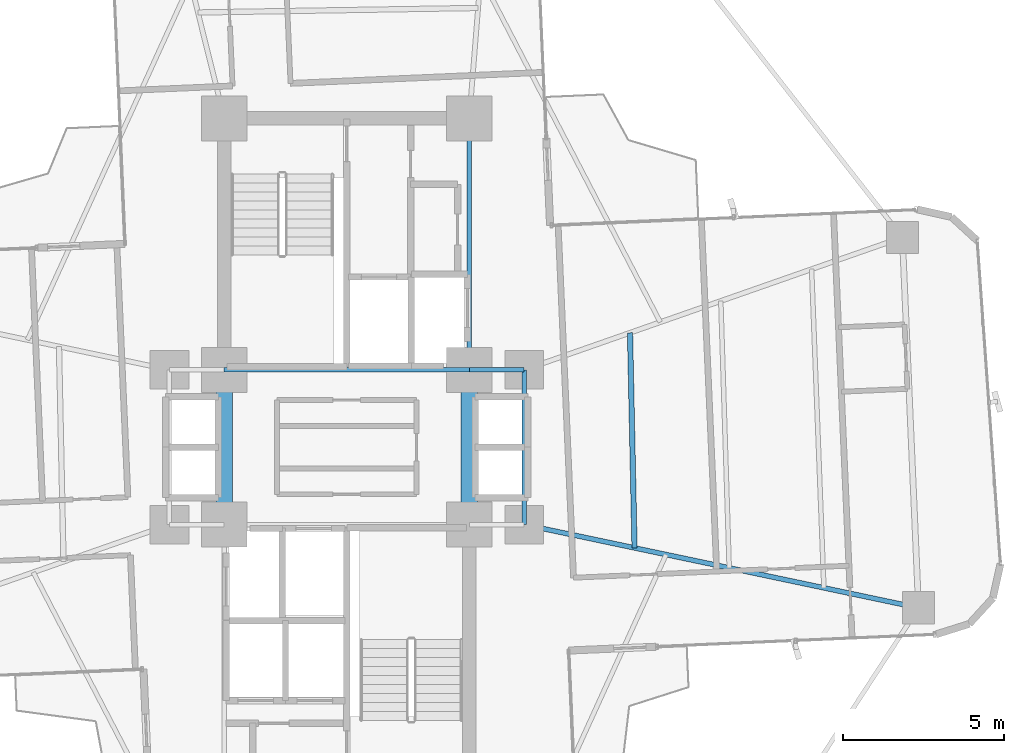
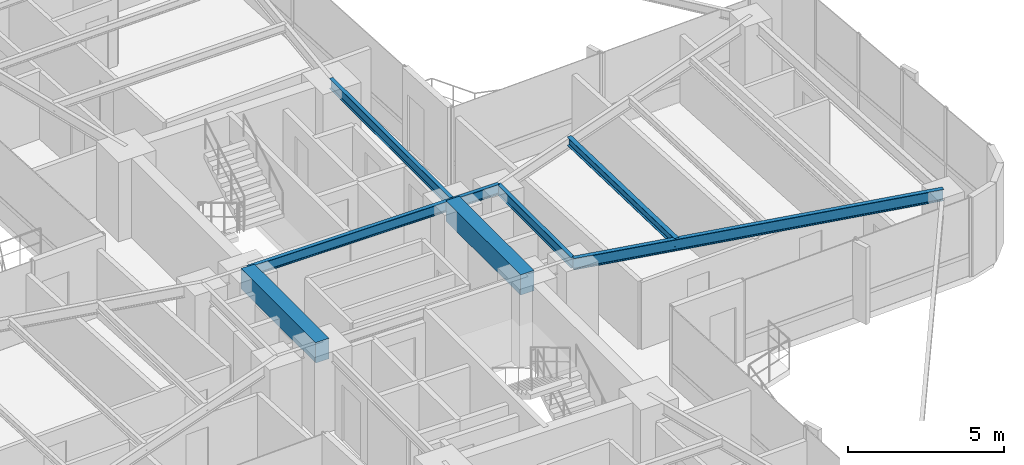
# One storey, part 12 of 26: 8 beams.
"""IFC4 building model written with IfcOpenShell, lengths in metres."""

from ifc_helpers import new_model, si_unit, direction, frame, origin, origin_2d, place, context, subcontext, project, spatial, rectangle, i_section, extrude, source, transform, mapped, material, material_profile, profile_set, type_object, element, save


model = new_model("IFC4")

# Units and contexts
model_context = context("Model", 3, precision=1e-05, world=origin(), true_north=direction((0.0, 1.0)))
body_context = subcontext(model_context, "Body", "Model", "MODEL_VIEW")
ifc_project = project(units=[si_unit("LENGTHUNIT", "METRE"), si_unit("AREAUNIT", "SQUARE_METRE"), si_unit("VOLUMEUNIT", "CUBIC_METRE"), si_unit("PLANEANGLEUNIT", "RADIAN"), si_unit("MASSUNIT", "GRAM", prefix="KILO")], contexts=[model_context])

# Site, building, storey
site_placement = place(None, origin())
site = spatial("IfcSite", under=ifc_project, at=site_placement, CompositionType="ELEMENT")
building_placement = place(site_placement, origin())
building = spatial("IfcBuilding", under=site, at=building_placement, Name="Sahyath Konkavel Grand Hotel", CompositionType="ELEMENT")
storey_placement = place(building_placement, frame((0.0, 0.0, 124.85009765625)))
storey = spatial("IfcBuildingStorey", under=building, at=storey_placement, Name="L34", CompositionType="ELEMENT", Elevation=124.85009765625)

# Beams
ifc_material_1 = material(Name="Steel E350", Category="steel")
ifc_material_profile_1 = material_profile(ifc_material_1, i_section(OverallWidth=0.139892578125, OverallDepth=0.39990234375, WebThickness=0.0087890625, FlangeThickness=0.01611328125, FilletRadius=0.013916015625, at=origin_2d()), Name="ISMB 400")
ifc_profile_set_1 = profile_set([ifc_material_profile_1], Name="Steel E350")
beam_type_1 = type_object("IfcBeamType", Name="BM-ISMB400", PredefinedType="BEAM", material=ifc_profile_set_1)
shared_shape_1 = source(origin(), body_context, "Body", "SweptSolid", [
    extrude(i_section(OverallWidth=0.139892578125, OverallDepth=0.39990234375, WebThickness=0.0087890625, FlangeThickness=0.01611328125, FilletRadius=0.013916015625, at=origin_2d()), origin(), (0.0, 0.0, 1.0), 7.60009765625),
])
beam_1_placement = place(storey_placement, frame((-3.800048828125, 2.39990234375, 2.909912109375), z_axis=(1.0, 0.0, 0.0), x_axis=(0.0, 1.0, 0.0)))
element("IfcBeam", 1, at=beam_1_placement, inside=storey, type_object=beam_type_1, Name="str:bm:L34:NC-S", PredefinedType="BEAM", context=body_context, shape_type="MappedRepresentation", body=[
    mapped(shared_shape_1, transform((0.0, 0.0, 0.0), scale=1.0)),
])
shared_shape_2 = source(origin(), body_context, "Body", "SweptSolid", [
    extrude(i_section(OverallWidth=0.139892578125, OverallDepth=0.39990234375, WebThickness=0.0087890625, FlangeThickness=0.01611328125, FilletRadius=0.013916015625, at=origin_2d()), origin(), (0.0, 0.0, 1.0), 7.800048828125),
])
beam_2_placement = place(storey_placement, frame((3.800048828125, 2.39990234375, 2.909912109375), z_axis=(0.0, 1.0, 0.0), x_axis=(-1.0, 0.0, 0.0)))
element("IfcBeam", 2, at=beam_2_placement, inside=storey, type_object=beam_type_1, Name="str:bm:L34:NC-E", PredefinedType="BEAM", context=body_context, shape_type="MappedRepresentation", body=[
    mapped(shared_shape_2, transform((0.0, 0.0, 0.0), scale=1.0)),
])
shared_shape_3 = source(origin(), body_context, "Body", "SweptSolid", [
    extrude(i_section(OverallWidth=0.139892578125, OverallDepth=0.39990234375, WebThickness=0.0087890625, FlangeThickness=0.01611328125, FilletRadius=0.013916015625, at=origin_2d()), origin(), (0.0, 0.0, 1.0), 1.699951171875),
])
beam_3_placement = place(storey_placement, frame((3.800048828125, 2.39990234375, 2.909912109375), z_axis=(1.0, 0.0, 0.0), x_axis=(0.0, 1.0, 0.0)))
element("IfcBeam", 3, at=beam_3_placement, inside=storey, type_object=beam_type_1, Name="str:bm:L34:HB-NE", PredefinedType="BEAM", context=body_context, shape_type="MappedRepresentation", body=[
    mapped(shared_shape_3, transform((0.0, 0.0, 0.0), scale=1.0)),
])
shared_shape_4 = source(origin(), body_context, "Body", "SweptSolid", [
    extrude(i_section(OverallWidth=0.139892578125, OverallDepth=0.39990234375, WebThickness=0.0087890625, FlangeThickness=0.01611328125, FilletRadius=0.013916015625, at=origin_2d()), origin(), (0.0, 0.0, 1.0), 4.7998046875),
])
beam_4_placement = place(storey_placement, frame((5.5, -2.39990234375, 2.909912109375), z_axis=(0.0, 1.0, 0.0), x_axis=(-1.0, 0.0, 0.0)))
element("IfcBeam", 4, at=beam_4_placement, inside=storey, type_object=beam_type_1, Name="str:bm:L34:HB-E", PredefinedType="BEAM", context=body_context, shape_type="MappedRepresentation", body=[
    mapped(shared_shape_4, transform((0.0, 0.0, 0.0), scale=1.0)),
])
ifc_material_2 = material(Name="Concrete C50/60", Category="concrete")
ifc_material_profile_2 = material_profile(ifc_material_2, rectangle(XDim=0.5, YDim=0.800048828125, at=origin_2d()), Name="RC 500x800")
ifc_profile_set_2 = profile_set([ifc_material_profile_2], Name="Concrete C50/60")
beam_type_2 = type_object("IfcBeamType", Name="BM-CB500x800", PredefinedType="LINTEL", material=ifc_profile_set_2)
shared_shape_5 = source(origin(), body_context, "Body", "SweptSolid", [
    extrude(rectangle(XDim=0.5, YDim=0.800048828125, at=origin_2d()), origin(), (0.0, 0.0, 1.0), 4.7998046875),
])
for number, where, z_axis, x_axis, name in (
    (5, (-3.800048828125, -2.39990234375, 2.7099609375), (0.0, 1.0, 0.0), (-1.0, 0.0, 0.0), "L34 Split-Core Coupling Beam West"),
    (6, (3.800048828125, -2.39990234375, 2.7099609375), (0.0, 1.0, 0.0), (-1.0, 0.0, 0.0), "L34 Split-Core Coupling Beam East"),
):
    element("IfcBeam", number, at=place(storey_placement, frame(where, z_axis=z_axis, x_axis=x_axis)), inside=storey, type_object=beam_type_2, Name=name, PredefinedType="LINTEL", context=body_context, shape_type="MappedRepresentation", body=[
        mapped(shared_shape_5, transform((0.0, 0.0, 0.0), scale=1.0)),
    ])
ifc_material_profile_3 = material_profile(ifc_material_1, i_section(OverallWidth=0.14990234375, OverallDepth=0.449951171875, WebThickness=0.009521484375, FlangeThickness=0.017333984375, FilletRadius=0.014892578125, at=origin_2d()), Name="ISMB 450")
ifc_profile_set_3 = profile_set([ifc_material_profile_3], Name="Steel E350")
beam_type_3 = type_object("IfcBeamType", Name="BM-ISMB450", PredefinedType="BEAM", material=ifc_profile_set_3)
shared_shape_6 = source(origin(), body_context, "Body", "SweptSolid", [
    extrude(i_section(OverallWidth=0.14990234375, OverallDepth=0.449951171875, WebThickness=0.009521484375, FlangeThickness=0.017333984375, FilletRadius=0.014892578125, at=origin_2d()), origin(), (0.0, 0.0, 1.0), 12.50341796875),
])
beam_5_placement = place(storey_placement, frame((5.5, -2.39990234375, 2.885009765625), z_axis=(0.978457911392, -0.206446398937, 0.0), x_axis=(0.206446398937, 0.978457911392, 0.0)))
element("IfcBeam", 7, at=beam_5_placement, inside=storey, type_object=beam_type_3, Name="L34 Cruciform Radial Girder EA", PredefinedType="BEAM", context=body_context, shape_type="MappedRepresentation", body=[
    mapped(shared_shape_6, transform((0.0, 0.0, 0.0), scale=1.0)),
])
ifc_material_profile_4 = material_profile(ifc_material_1, i_section(OverallWidth=0.1650390625, OverallDepth=0.324951171875, WebThickness=0.007080078125, FlangeThickness=0.009765625, FilletRadius=0.014892578125, at=origin_2d()), Name="ISLB 325")
ifc_profile_set_4 = profile_set([ifc_material_profile_4], Name="Steel E350")
beam_type_4 = type_object("IfcBeamType", Name="BM-ISLB325", PredefinedType="BEAM", material=ifc_profile_set_4)
shared_shape_7 = source(origin(), body_context, "Body", "SweptSolid", [
    extrude(i_section(OverallWidth=0.1650390625, OverallDepth=0.324951171875, WebThickness=0.007080078125, FlangeThickness=0.009765625, FilletRadius=0.014892578125, at=origin_2d()), origin(), (0.0, 0.0, 1.0), 6.674560546875),
])
beam_6_placement = place(storey_placement, frame((8.925537109375, -3.122802734375, 2.947509765625), z_axis=(-0.021032188543, 0.999778799058, 0.0), x_axis=(-0.999778799058, -0.021032188543, 0.0)))
element("IfcBeam", 8, at=beam_6_placement, inside=storey, type_object=beam_type_4, Name="L34 Secondary Floor Beam E-1", PredefinedType="BEAM", context=body_context, shape_type="MappedRepresentation", body=[
    mapped(shared_shape_7, transform((0.0, 0.0, 0.0), scale=1.0)),
])

save(model, "model.ifc")
